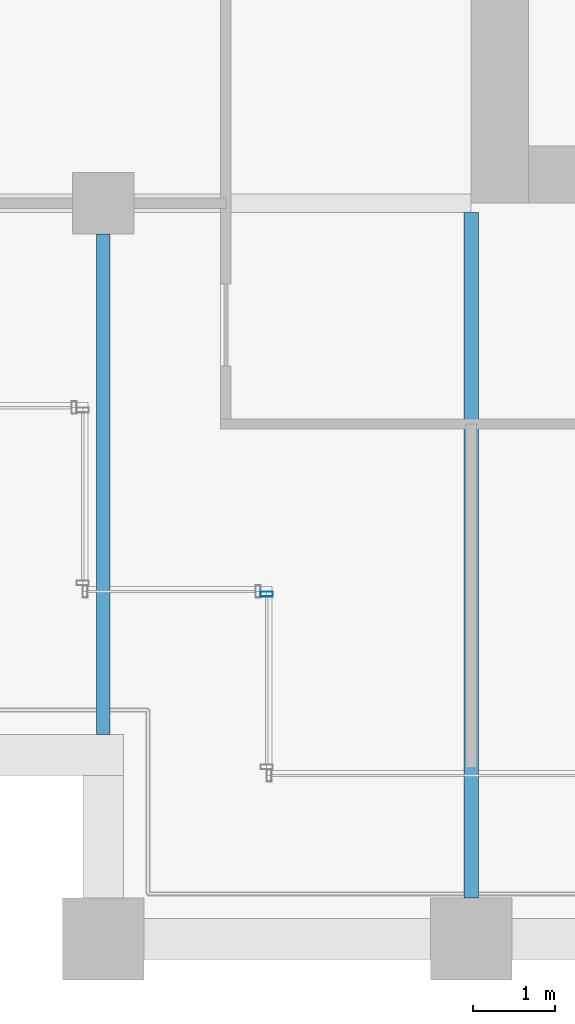
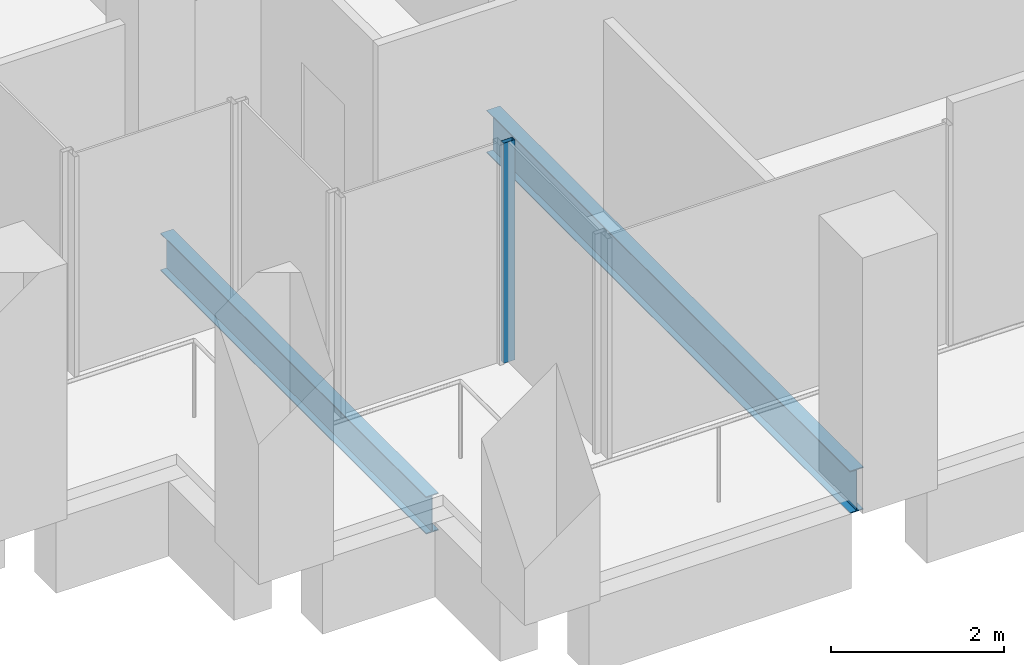
# One storey, part 29 of 46: 2 beams, 1 member, 1 element without a shape of its own.
"""IFC4 building model written with IfcOpenShell, lengths in metres."""

from ifc_helpers import new_model, si_unit, direction, frame, origin, origin_2d, place, context, subcontext, project, spatial, hollow_rectangle, i_section, extrude, material, material_profile, profile_set, type_object, element, aggregate, save


model = new_model("IFC4")

# Units and contexts
model_context = context("Model", 3, precision=1e-05, world=origin(), true_north=direction((0.0, 1.0)))
body_context = subcontext(model_context, "Body", "Model", "MODEL_VIEW")
ifc_project = project(units=[si_unit("LENGTHUNIT", "METRE"), si_unit("AREAUNIT", "SQUARE_METRE"), si_unit("VOLUMEUNIT", "CUBIC_METRE"), si_unit("PLANEANGLEUNIT", "RADIAN"), si_unit("MASSUNIT", "GRAM", prefix="KILO")], contexts=[model_context])

# Site, building, storey
site_placement = place(None, origin())
site = spatial("IfcSite", under=ifc_project, at=site_placement, CompositionType="ELEMENT")
building_placement = place(site_placement, origin())
building = spatial("IfcBuilding", under=site, at=building_placement, Name="Altepetl Exchange Towers", CompositionType="ELEMENT")
storey_placement = place(building_placement, frame((0.0, 0.0, 135.199951171875)))
storey = spatial("IfcBuildingStorey", under=building, at=storey_placement, Name="L33", CompositionType="ELEMENT", Elevation=135.199951171875)

# Beams
ifc_material_1 = material(Name="Steel S355", Category="steel")
ifc_material_profile_1 = material_profile(ifc_material_1, i_section(OverallWidth=0.166015625, OverallDepth=0.529052734375, WebThickness=0.009765625, FlangeThickness=0.013671875, at=origin_2d()), Name="W21X50")
ifc_profile_set_1 = profile_set([ifc_material_profile_1], Name="Steel S355")
beam_type_1 = type_object("IfcBeamType", Name="Floor beam W21X50", PredefinedType="BEAM", material=ifc_profile_set_1)
beam_1_placement = place(storey_placement, frame((99.0, 29.5, -0.41455078125), z_axis=(0.0, 1.0, 0.0), x_axis=(-1.0, 0.0, 0.0)))
element("IfcBeam", 1, at=beam_1_placement, inside=storey, type_object=beam_type_1, Name="bm:B:L33:004", PredefinedType="BEAM", context=body_context, shape_type="SweptSolid", body=[
    extrude(i_section(OverallWidth=0.166015625, OverallDepth=0.529052734375, WebThickness=0.009765625, FlangeThickness=0.013671875, at=origin_2d()), origin(), (0.0, 0.0, 1.0), 6.125),
])
ifc_material_profile_2 = material_profile(ifc_material_1, i_section(OverallWidth=0.177978515625, OverallDepth=0.59912109375, WebThickness=0.010009765625, FlangeThickness=0.0126953125, at=origin_2d()), Name="W24X55")
ifc_profile_set_2 = profile_set([ifc_material_profile_2], Name="Steel S355")
beam_type_2 = type_object("IfcBeamType", Name="Floor beam W24X55", PredefinedType="BEAM", material=ifc_profile_set_2)
beam_2_placement = place(storey_placement, frame((103.5, 27.5, -0.449462890625), z_axis=(0.0, 1.0, 0.0), x_axis=(-1.0, 0.0, 0.0)))
element("IfcBeam", 2, at=beam_2_placement, inside=storey, type_object=beam_type_2, Name="bm:B:L33:005", PredefinedType="BEAM", context=body_context, shape_type="SweptSolid", body=[
    extrude(i_section(OverallWidth=0.177978515625, OverallDepth=0.59912109375, WebThickness=0.010009765625, FlangeThickness=0.0126953125, at=origin_2d()), origin(), (0.0, 0.0, 1.0), 8.385986328125),
])

# Curtain wall, member
ifc_material_2 = material(Name="Aluminium 6063-T6 glazing", Category="aluminium")
curtain_wall_type = type_object("IfcCurtainWallType", Name="Loggia glazing system", PredefinedType="NOTDEFINED", material=ifc_material_2)
curtain_wall_placement = place(storey_placement, origin())
curtain_wall = element("IfcCurtainWall", 3, at=curtain_wall_placement, inside=storey, type_object=curtain_wall_type, Name="CW1 run", PredefinedType="NOTDEFINED")
ifc_material_3 = material(Name="Aluminium 6063-T6", Category="aluminium")
ifc_material_profile_3 = material_profile(ifc_material_3, hollow_rectangle(XDim=0.06005859375, YDim=0.14990234375, WallThickness=0.0029296875, at=origin_2d()), Name="Mullion 60x150 aluminium")
ifc_profile_set_3 = profile_set([ifc_material_profile_3], Name="Aluminium 6063-T6")
member_type = type_object("IfcMemberType", Name="Mullion 60x150 aluminium", PredefinedType="MULLION", material=ifc_profile_set_3)
member_placement = place(storey_placement, frame((101.0, 31.219970703125, 0.0), z_axis=(0.0, 0.0, 1.0), x_axis=(0.0, -1.0, 0.0)))
member = element("IfcMember", 4, at=member_placement, type_object=member_type, Name="MU1 mullion", PredefinedType="MULLION", context=body_context, shape_type="SweptSolid", body=[
    extrude(hollow_rectangle(XDim=0.06005859375, YDim=0.14990234375, WallThickness=0.0029296875, at=origin_2d()), origin(), (0.0, 0.0, 1.0), 3.10009765625),
])
aggregate(curtain_wall, [member])

save(model, "model.ifc")
